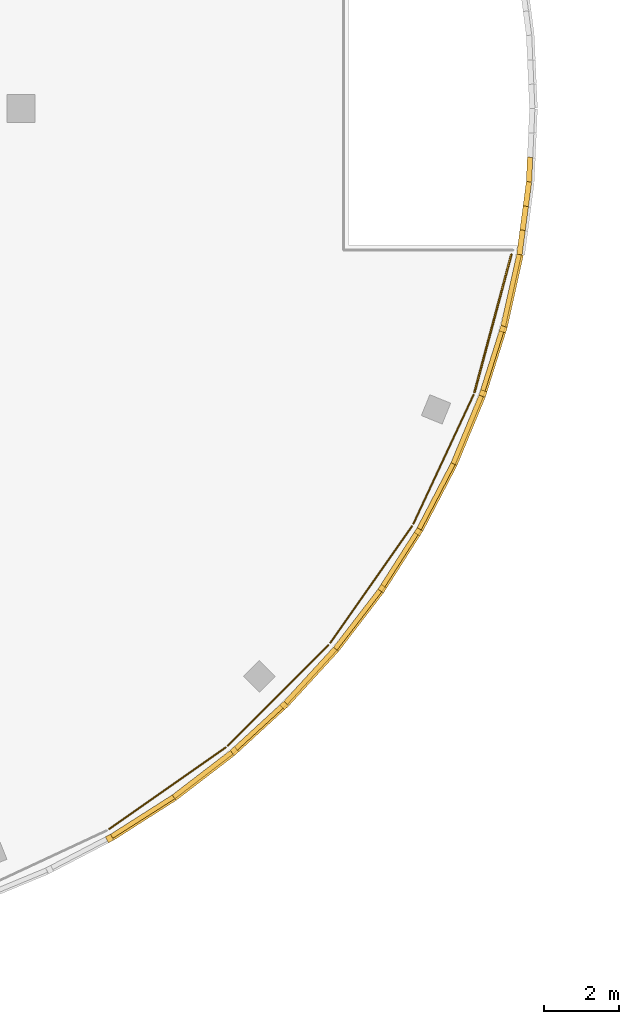
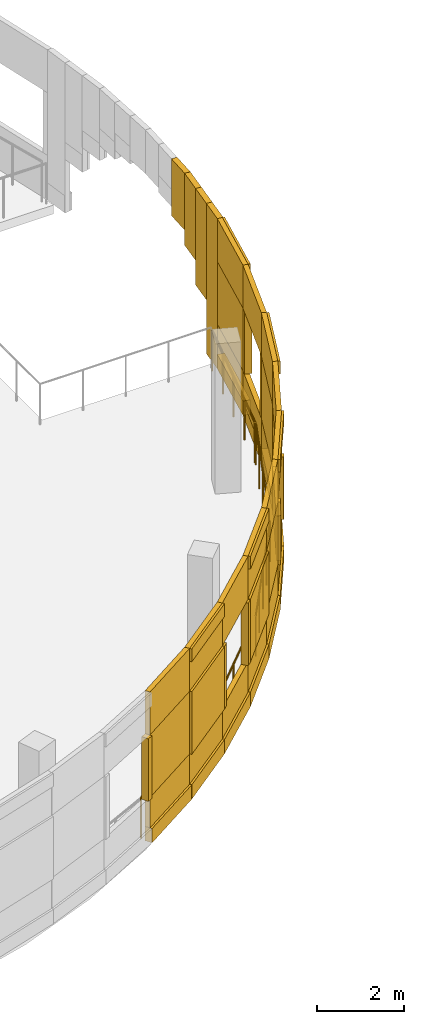
# One storey, part 132 of 135: 53 coverings, 5 railings.
"""IFC4 building model written with IfcOpenShell, lengths in metres."""

from ifc_helpers import new_model, si_unit, direction, frame, origin, origin_2d, place, context, subcontext, project, spatial, rectangle, circle, extrude, material, layer, layer_set, type_object, element, save


model = new_model("IFC4")

# Units and contexts
model_context = context("Model", 3, precision=1e-05, world=origin(), true_north=direction((0.0, 1.0)))
body_context = subcontext(model_context, "Body", "Model", "MODEL_VIEW")
ifc_project = project(units=[si_unit("LENGTHUNIT", "METRE"), si_unit("AREAUNIT", "SQUARE_METRE"), si_unit("VOLUMEUNIT", "CUBIC_METRE"), si_unit("PLANEANGLEUNIT", "RADIAN"), si_unit("MASSUNIT", "GRAM", prefix="KILO")], contexts=[model_context])

# Site, building, storey
site_placement = place(None, origin())
site = spatial("IfcSite", under=ifc_project, at=site_placement, CompositionType="ELEMENT")
building_placement = place(site_placement, origin())
building = spatial("IfcBuilding", under=site, at=building_placement, Name="Deido Ridge Mobility Hub", CompositionType="ELEMENT")
storey_placement = place(building_placement, frame((0.0, 0.0, 4.199951171875)))
storey = spatial("IfcBuildingStorey", under=building, at=storey_placement, Name="L01", CompositionType="ELEMENT", Elevation=4.199951171875)

# Coverings
ifc_material_1 = material(Name="Fired clay brick masonry", Category="masonry")
ifc_layer = layer(ifc_material_1, 0.114990234375, Name="Fired clay brick masonry")
ifc_layer_set = layer_set([ifc_layer], Name="Fired clay brick masonry")
covering_type = type_object("IfcCoveringType", Name="COV-BRK-SCREEN-115", PredefinedType="CLADDING", material=ifc_layer_set)
covering_1_placement = place(storey_placement, frame((128.167236328125, 83.99951171875, 1.25), z_axis=(0.0, 0.0, 1.0), x_axis=(0.887018892077, 0.461733131905, 0.0)))
element("IfcCovering", 1, at=covering_1_placement, inside=storey, type_object=covering_type, Name="Curved brick jamb nib BKS1 (L01)", PredefinedType="CLADDING", context=body_context, shape_type="SweptSolid", body=[
    extrude(rectangle(XDim=0.152099609375, YDim=0.179931640625, at=origin_2d()), origin(), (0.0, 0.0, 1.0), 1.75),
])
covering_2_placement = place(storey_placement, frame((129.049560546875, 84.5859375, 0.0), z_axis=(0.0, 0.0, 1.0), x_axis=(0.843382068037, 0.537314328223, 0.0)))
element("IfcCovering", 2, at=covering_2_placement, inside=storey, type_object=covering_type, Name="Open brickwork spandrel course BKS1 (L01)", PredefinedType="CLADDING", context=body_context, shape_type="SweptSolid", body=[
    extrude(rectangle(XDim=1.9619140625, YDim=0.125, at=origin_2d()), origin(), (0.0, 0.0, 1.0), 1.25),
])
covering_3_placement = place(storey_placement, frame((129.064208984375, 84.562744140625, 0.0), z_axis=(0.0, 0.0, 1.0), x_axis=(0.843382068037, 0.537314328223, 0.0)))
element("IfcCovering", 3, at=covering_3_placement, inside=storey, type_object=covering_type, Name="Raised brick relief belt BKS1 (L01)", PredefinedType="CLADDING", context=body_context, shape_type="SweptSolid", body=[
    extrude(rectangle(XDim=1.9619140625, YDim=0.179931640625, at=origin_2d()), origin(), (0.0, 0.0, 1.0), 0.39990234375),
])
covering_4_placement = place(storey_placement, frame((129.049560546875, 84.5859375, 3.0), z_axis=(0.0, 0.0, 1.0), x_axis=(0.843382068037, 0.537314328223, 0.0)))
element("IfcCovering", 4, at=covering_4_placement, inside=storey, type_object=covering_type, Name="Open brickwork lintel course BKS1 (L01)", PredefinedType="CLADDING", context=body_context, shape_type="SweptSolid", body=[
    extrude(rectangle(XDim=1.9619140625, YDim=0.125, at=origin_2d()), origin(), (0.0, 0.0, 1.0), 1.199951171875),
])
covering_5_placement = place(storey_placement, frame((129.049560546875, 84.5859375, 1.25), z_axis=(0.0, 0.0, 1.0), x_axis=(0.843382068037, 0.537314328223, 0.0)))
element("IfcCovering", 5, at=covering_5_placement, inside=storey, type_object=covering_type, Name="Curved raised brickwork pier BKS1 (L01)", PredefinedType="CLADDING", context=body_context, shape_type="SweptSolid", body=[
    extrude(rectangle(XDim=1.9619140625, YDim=0.125, at=origin_2d()), origin(), (0.0, 0.0, 1.0), 1.75),
])
covering_6_placement = place(storey_placement, frame((130.652099609375, 85.7080078125, 0.0), z_axis=(0.0, 0.0, 1.0), x_axis=(0.793353340291, 0.608761429009, 0.0)))
element("IfcCovering", 6, at=covering_6_placement, inside=storey, type_object=covering_type, Name="Open brickwork spandrel course BKS1 (L01)", PredefinedType="CLADDING", context=body_context, shape_type="SweptSolid", body=[
    extrude(rectangle(XDim=1.9619140625, YDim=0.125, at=origin_2d()), origin(), (0.0, 0.0, 1.0), 1.25),
])
covering_7_placement = place(storey_placement, frame((130.6689453125, 85.686279296875, 0.0), z_axis=(0.0, 0.0, 1.0), x_axis=(0.793353340291, 0.608761429009, 0.0)))
element("IfcCovering", 7, at=covering_7_placement, inside=storey, type_object=covering_type, Name="Raised brick relief belt BKS1 (L01)", PredefinedType="CLADDING", context=body_context, shape_type="SweptSolid", body=[
    extrude(rectangle(XDim=1.9619140625, YDim=0.179931640625, at=origin_2d()), origin(), (0.0, 0.0, 1.0), 0.39990234375),
])
covering_8_placement = place(storey_placement, frame((130.652099609375, 85.7080078125, 3.0), z_axis=(0.0, 0.0, 1.0), x_axis=(0.793353340291, 0.608761429009, 0.0)))
element("IfcCovering", 8, at=covering_8_placement, inside=storey, type_object=covering_type, Name="Open brickwork lintel course BKS1 (L01)", PredefinedType="CLADDING", context=body_context, shape_type="SweptSolid", body=[
    extrude(rectangle(XDim=1.9619140625, YDim=0.125, at=origin_2d()), origin(), (0.0, 0.0, 1.0), 1.199951171875),
])
covering_9_placement = place(storey_placement, frame((130.6689453125, 85.686279296875, 3.83984375), z_axis=(0.0, 0.0, 1.0), x_axis=(0.793353340291, 0.608761429009, 0.0)))
element("IfcCovering", 9, at=covering_9_placement, inside=storey, type_object=covering_type, Name="Raised brick relief cornice BKS1 (L01)", PredefinedType="CLADDING", context=body_context, shape_type="SweptSolid", body=[
    extrude(rectangle(XDim=1.9619140625, YDim=0.179931640625, at=origin_2d()), origin(), (0.0, 0.0, 1.0), 0.360107421875),
])
covering_10_placement = place(storey_placement, frame((130.6689453125, 85.686279296875, 1.25), z_axis=(0.0, 0.0, 1.0), x_axis=(0.793353340291, 0.608761429009, 0.0)))
element("IfcCovering", 10, at=covering_10_placement, inside=storey, type_object=covering_type, Name="Curved raised brickwork pier BKS1 (L01)", PredefinedType="CLADDING", context=body_context, shape_type="SweptSolid", body=[
    extrude(rectangle(XDim=1.9619140625, YDim=0.179931640625, at=origin_2d()), origin(), (0.0, 0.0, 1.0), 1.75),
])
covering_11_placement = place(storey_placement, frame((132.15087890625, 86.9658203125, 0.0), z_axis=(0.0, 0.0, 1.0), x_axis=(0.737289127971, 0.675577339596, 0.0)))
element("IfcCovering", 11, at=covering_11_placement, inside=storey, type_object=covering_type, Name="Open brickwork spandrel course BKS1 (L01)", PredefinedType="CLADDING", context=body_context, shape_type="SweptSolid", body=[
    extrude(rectangle(XDim=1.9619140625, YDim=0.125, at=origin_2d()), origin(), (0.0, 0.0, 1.0), 1.25),
])
covering_12_placement = place(storey_placement, frame((132.16943359375, 86.9453125, 0.0), z_axis=(0.0, 0.0, 1.0), x_axis=(0.737289127971, 0.675577339596, 0.0)))
element("IfcCovering", 12, at=covering_12_placement, inside=storey, type_object=covering_type, Name="Raised brick relief belt BKS1 (L01)", PredefinedType="CLADDING", context=body_context, shape_type="SweptSolid", body=[
    extrude(rectangle(XDim=1.9619140625, YDim=0.179931640625, at=origin_2d()), origin(), (0.0, 0.0, 1.0), 0.39990234375),
])
covering_13_placement = place(storey_placement, frame((132.15087890625, 86.9658203125, 3.0), z_axis=(0.0, 0.0, 1.0), x_axis=(0.737289127971, 0.675577339596, 0.0)))
element("IfcCovering", 13, at=covering_13_placement, inside=storey, type_object=covering_type, Name="Open brickwork lintel course BKS1 (L01)", PredefinedType="CLADDING", context=body_context, shape_type="SweptSolid", body=[
    extrude(rectangle(XDim=1.9619140625, YDim=0.125, at=origin_2d()), origin(), (0.0, 0.0, 1.0), 1.199951171875),
])
for number, where, z_axis, x_axis, name in (
    (14, (131.505126953125, 86.336669921875, 1.25), (0.0, 0.0, 1.0), (0.737289127971, 0.675577339596, 0.0), "Curved brick jamb nib BKS1 (L01)"),
    (15, (132.833740234375, 87.55419921875, 1.25), (0.0, 0.0, 1.0), (0.737289127971, 0.675577339596, 0.0), "Curved brick jamb nib BKS1 (L01)"),
):
    element("IfcCovering", number, at=place(storey_placement, frame(where, z_axis=z_axis, x_axis=x_axis)), inside=storey, type_object=covering_type, Name=name, PredefinedType="CLADDING", context=body_context, shape_type="SweptSolid", body=[
        extrude(rectangle(XDim=0.152099609375, YDim=0.179931640625, at=origin_2d()), origin(), (0.0, 0.0, 1.0), 1.75),
    ])
covering_14_placement = place(storey_placement, frame((133.5341796875, 88.34912109375, 0.0), z_axis=(0.0, 0.0, 1.0), x_axis=(0.675577339596, 0.737289127971, 0.0)))
element("IfcCovering", 16, at=covering_14_placement, inside=storey, type_object=covering_type, Name="Open brickwork spandrel course BKS1 (L01)", PredefinedType="CLADDING", context=body_context, shape_type="SweptSolid", body=[
    extrude(rectangle(XDim=1.9619140625, YDim=0.125, at=origin_2d()), origin(), (0.0, 0.0, 1.0), 1.25),
])
covering_15_placement = place(storey_placement, frame((133.5546875, 88.33056640625, 0.0), z_axis=(0.0, 0.0, 1.0), x_axis=(0.675577339596, 0.737289127971, 0.0)))
element("IfcCovering", 17, at=covering_15_placement, inside=storey, type_object=covering_type, Name="Raised brick relief belt BKS1 (L01)", PredefinedType="CLADDING", context=body_context, shape_type="SweptSolid", body=[
    extrude(rectangle(XDim=1.9619140625, YDim=0.179931640625, at=origin_2d()), origin(), (0.0, 0.0, 1.0), 0.39990234375),
])
covering_16_placement = place(storey_placement, frame((133.5341796875, 88.34912109375, 3.0), z_axis=(0.0, 0.0, 1.0), x_axis=(0.675577339596, 0.737289127971, 0.0)))
element("IfcCovering", 18, at=covering_16_placement, inside=storey, type_object=covering_type, Name="Open brickwork lintel course BKS1 (L01)", PredefinedType="CLADDING", context=body_context, shape_type="SweptSolid", body=[
    extrude(rectangle(XDim=1.9619140625, YDim=0.125, at=origin_2d()), origin(), (0.0, 0.0, 1.0), 1.199951171875),
])
covering_17_placement = place(storey_placement, frame((133.5546875, 88.33056640625, 3.83984375), z_axis=(0.0, 0.0, 1.0), x_axis=(0.675577339596, 0.737289127971, 0.0)))
element("IfcCovering", 19, at=covering_17_placement, inside=storey, type_object=covering_type, Name="Raised brick relief cornice BKS1 (L01)", PredefinedType="CLADDING", context=body_context, shape_type="SweptSolid", body=[
    extrude(rectangle(XDim=1.9619140625, YDim=0.179931640625, at=origin_2d()), origin(), (0.0, 0.0, 1.0), 0.360107421875),
])
covering_18_placement = place(storey_placement, frame((133.5546875, 88.33056640625, 1.25), z_axis=(0.0, 0.0, 1.0), x_axis=(0.675577339596, 0.737289127971, 0.0)))
element("IfcCovering", 20, at=covering_18_placement, inside=storey, type_object=covering_type, Name="Curved raised brickwork pier BKS1 (L01)", PredefinedType="CLADDING", context=body_context, shape_type="SweptSolid", body=[
    extrude(rectangle(XDim=1.9619140625, YDim=0.179931640625, at=origin_2d()), origin(), (0.0, 0.0, 1.0), 1.75),
])
covering_19_placement = place(storey_placement, frame((134.7919921875, 89.847900390625, 0.0), z_axis=(0.0, 0.0, 1.0), x_axis=(0.608761429009, 0.793353340291, 0.0)))
element("IfcCovering", 21, at=covering_19_placement, inside=storey, type_object=covering_type, Name="Open brickwork spandrel course BKS1 (L01)", PredefinedType="CLADDING", context=body_context, shape_type="SweptSolid", body=[
    extrude(rectangle(XDim=1.9619140625, YDim=0.125, at=origin_2d()), origin(), (0.0, 0.0, 1.0), 1.25),
])
covering_20_placement = place(storey_placement, frame((134.813720703125, 89.8310546875, 0.0), z_axis=(0.0, 0.0, 1.0), x_axis=(0.608761429009, 0.793353340291, 0.0)))
element("IfcCovering", 22, at=covering_20_placement, inside=storey, type_object=covering_type, Name="Raised brick relief belt BKS1 (L01)", PredefinedType="CLADDING", context=body_context, shape_type="SweptSolid", body=[
    extrude(rectangle(XDim=1.9619140625, YDim=0.179931640625, at=origin_2d()), origin(), (0.0, 0.0, 1.0), 0.39990234375),
])
covering_21_placement = place(storey_placement, frame((134.7919921875, 89.847900390625, 3.0), z_axis=(0.0, 0.0, 1.0), x_axis=(0.608761429009, 0.793353340291, 0.0)))
element("IfcCovering", 23, at=covering_21_placement, inside=storey, type_object=covering_type, Name="Open brickwork lintel course BKS1 (L01)", PredefinedType="CLADDING", context=body_context, shape_type="SweptSolid", body=[
    extrude(rectangle(XDim=1.9619140625, YDim=0.125, at=origin_2d()), origin(), (0.0, 0.0, 1.0), 1.199951171875),
])
covering_22_placement = place(storey_placement, frame((134.7919921875, 89.847900390625, 1.25), z_axis=(0.0, 0.0, 1.0), x_axis=(0.608761429009, 0.793353340291, 0.0)))
element("IfcCovering", 24, at=covering_22_placement, inside=storey, type_object=covering_type, Name="Curved raised brickwork pier BKS1 (L01)", PredefinedType="CLADDING", context=body_context, shape_type="SweptSolid", body=[
    extrude(rectangle(XDim=1.9619140625, YDim=0.125, at=origin_2d()), origin(), (0.0, 0.0, 1.0), 1.75),
])
covering_23_placement = place(storey_placement, frame((135.9140625, 91.450439453125, 0.0), z_axis=(0.0, 0.0, 1.0), x_axis=(0.537314328223, 0.843382068037, 0.0)))
element("IfcCovering", 25, at=covering_23_placement, inside=storey, type_object=covering_type, Name="Open brickwork spandrel course BKS1 (L01)", PredefinedType="CLADDING", context=body_context, shape_type="SweptSolid", body=[
    extrude(rectangle(XDim=1.9619140625, YDim=0.125, at=origin_2d()), origin(), (0.0, 0.0, 1.0), 1.25),
])
covering_24_placement = place(storey_placement, frame((135.937255859375, 91.435791015625, 0.0), z_axis=(0.0, 0.0, 1.0), x_axis=(0.537314328223, 0.843382068037, 0.0)))
element("IfcCovering", 26, at=covering_24_placement, inside=storey, type_object=covering_type, Name="Raised brick relief belt BKS1 (L01)", PredefinedType="CLADDING", context=body_context, shape_type="SweptSolid", body=[
    extrude(rectangle(XDim=1.9619140625, YDim=0.179931640625, at=origin_2d()), origin(), (0.0, 0.0, 1.0), 0.39990234375),
])
covering_25_placement = place(storey_placement, frame((135.9140625, 91.450439453125, 3.0), z_axis=(0.0, 0.0, 1.0), x_axis=(0.537314328223, 0.843382068037, 0.0)))
element("IfcCovering", 27, at=covering_25_placement, inside=storey, type_object=covering_type, Name="Open brickwork lintel course BKS1 (L01)", PredefinedType="CLADDING", context=body_context, shape_type="SweptSolid", body=[
    extrude(rectangle(XDim=1.9619140625, YDim=0.125, at=origin_2d()), origin(), (0.0, 0.0, 1.0), 1.199951171875),
])
covering_26_placement = place(storey_placement, frame((135.937255859375, 91.435791015625, 3.83984375), z_axis=(0.0, 0.0, 1.0), x_axis=(0.537314328223, 0.843382068037, 0.0)))
element("IfcCovering", 28, at=covering_26_placement, inside=storey, type_object=covering_type, Name="Raised brick relief cornice BKS1 (L01)", PredefinedType="CLADDING", context=body_context, shape_type="SweptSolid", body=[
    extrude(rectangle(XDim=1.9619140625, YDim=0.179931640625, at=origin_2d()), origin(), (0.0, 0.0, 1.0), 0.360107421875),
])
for number, where, z_axis, x_axis, name in (
    (29, (135.453125, 90.67578125, 1.25), (0.0, 0.0, 1.0), (0.537314328223, 0.843382068037, 0.0), "Curved brick jamb nib BKS1 (L01)"),
    (30, (136.42138671875, 92.195556640625, 1.25), (0.0, 0.0, 1.0), (0.537314328223, 0.843382068037, 0.0), "Curved brick jamb nib BKS1 (L01)"),
):
    element("IfcCovering", number, at=place(storey_placement, frame(where, z_axis=z_axis, x_axis=x_axis)), inside=storey, type_object=covering_type, Name=name, PredefinedType="CLADDING", context=body_context, shape_type="SweptSolid", body=[
        extrude(rectangle(XDim=0.152099609375, YDim=0.179931640625, at=origin_2d()), origin(), (0.0, 0.0, 1.0), 1.75),
    ])
covering_27_placement = place(storey_placement, frame((136.892333984375, 93.144775390625, 0.0), z_axis=(0.0, 0.0, 1.0), x_axis=(0.461733131905, 0.887018892077, 0.0)))
element("IfcCovering", 31, at=covering_27_placement, inside=storey, type_object=covering_type, Name="Open brickwork spandrel course BKS1 (L01)", PredefinedType="CLADDING", context=body_context, shape_type="SweptSolid", body=[
    extrude(rectangle(XDim=1.9619140625, YDim=0.125, at=origin_2d()), origin(), (0.0, 0.0, 1.0), 1.25),
])
covering_28_placement = place(storey_placement, frame((136.916748046875, 93.132080078125, 0.0), z_axis=(0.0, 0.0, 1.0), x_axis=(0.461733131905, 0.887018892077, 0.0)))
element("IfcCovering", 32, at=covering_28_placement, inside=storey, type_object=covering_type, Name="Raised brick relief belt BKS1 (L01)", PredefinedType="CLADDING", context=body_context, shape_type="SweptSolid", body=[
    extrude(rectangle(XDim=1.9619140625, YDim=0.179931640625, at=origin_2d()), origin(), (0.0, 0.0, 1.0), 0.39990234375),
])
covering_29_placement = place(storey_placement, frame((136.892333984375, 93.144775390625, 3.0), z_axis=(0.0, 0.0, 1.0), x_axis=(0.461733131905, 0.887018892077, 0.0)))
element("IfcCovering", 33, at=covering_29_placement, inside=storey, type_object=covering_type, Name="Open brickwork lintel course BKS1 (L01)", PredefinedType="CLADDING", context=body_context, shape_type="SweptSolid", body=[
    extrude(rectangle(XDim=1.9619140625, YDim=0.125, at=origin_2d()), origin(), (0.0, 0.0, 1.0), 1.199951171875),
])
covering_30_placement = place(storey_placement, frame((136.892333984375, 93.144775390625, 1.25), z_axis=(0.0, 0.0, 1.0), x_axis=(0.461733131905, 0.887018892077, 0.0)))
element("IfcCovering", 34, at=covering_30_placement, inside=storey, type_object=covering_type, Name="Curved raised brickwork pier BKS1 (L01)", PredefinedType="CLADDING", context=body_context, shape_type="SweptSolid", body=[
    extrude(rectangle(XDim=1.9619140625, YDim=0.125, at=origin_2d()), origin(), (0.0, 0.0, 1.0), 1.75),
])
covering_31_placement = place(storey_placement, frame((137.718994140625, 94.91796875, 0.0), z_axis=(0.0, 0.0, 1.0), x_axis=(0.382699557047, 0.923872853285, 0.0)))
element("IfcCovering", 35, at=covering_31_placement, inside=storey, type_object=covering_type, Name="Open brickwork spandrel course BKS1 (L01)", PredefinedType="CLADDING", context=body_context, shape_type="SweptSolid", body=[
    extrude(rectangle(XDim=1.9619140625, YDim=0.125, at=origin_2d()), origin(), (0.0, 0.0, 1.0), 1.25),
])
covering_32_placement = place(storey_placement, frame((137.744384765625, 94.9072265625, 0.0), z_axis=(0.0, 0.0, 1.0), x_axis=(0.382699557047, 0.923872853285, 0.0)))
element("IfcCovering", 36, at=covering_32_placement, inside=storey, type_object=covering_type, Name="Raised brick relief belt BKS1 (L01)", PredefinedType="CLADDING", context=body_context, shape_type="SweptSolid", body=[
    extrude(rectangle(XDim=1.9619140625, YDim=0.179931640625, at=origin_2d()), origin(), (0.0, 0.0, 1.0), 0.39990234375),
])
covering_33_placement = place(storey_placement, frame((137.718994140625, 94.91796875, 3.0), z_axis=(0.0, 0.0, 1.0), x_axis=(0.382699557047, 0.923872853285, 0.0)))
element("IfcCovering", 37, at=covering_33_placement, inside=storey, type_object=covering_type, Name="Open brickwork lintel course BKS1 (L01)", PredefinedType="CLADDING", context=body_context, shape_type="SweptSolid", body=[
    extrude(rectangle(XDim=1.9619140625, YDim=0.125, at=origin_2d()), origin(), (0.0, 0.0, 1.0), 1.199951171875),
])
covering_34_placement = place(storey_placement, frame((137.744384765625, 94.9072265625, 3.83984375), z_axis=(0.0, 0.0, 1.0), x_axis=(0.382699557047, 0.923872853285, 0.0)))
element("IfcCovering", 38, at=covering_34_placement, inside=storey, type_object=covering_type, Name="Raised brick relief cornice BKS1 (L01)", PredefinedType="CLADDING", context=body_context, shape_type="SweptSolid", body=[
    extrude(rectangle(XDim=1.9619140625, YDim=0.179931640625, at=origin_2d()), origin(), (0.0, 0.0, 1.0), 0.360107421875),
])
covering_35_placement = place(storey_placement, frame((137.744384765625, 94.9072265625, 1.25), z_axis=(0.0, 0.0, 1.0), x_axis=(0.382699557047, 0.923872853285, 0.0)))
element("IfcCovering", 39, at=covering_35_placement, inside=storey, type_object=covering_type, Name="Curved raised brickwork pier BKS1 (L01)", PredefinedType="CLADDING", context=body_context, shape_type="SweptSolid", body=[
    extrude(rectangle(XDim=1.9619140625, YDim=0.179931640625, at=origin_2d()), origin(), (0.0, 0.0, 1.0), 1.75),
])
covering_36_placement = place(storey_placement, frame((138.38818359375, 96.75634765625, 0.0), z_axis=(0.0, 0.0, 1.0), x_axis=(0.300672508319, 0.95372744678, 0.0)))
element("IfcCovering", 40, at=covering_36_placement, inside=storey, type_object=covering_type, Name="Open brickwork spandrel course BKS1 (L01)", PredefinedType="CLADDING", context=body_context, shape_type="SweptSolid", body=[
    extrude(rectangle(XDim=1.9619140625, YDim=0.125, at=origin_2d()), origin(), (0.0, 0.0, 1.0), 1.25),
])
covering_37_placement = place(storey_placement, frame((138.414306640625, 96.748046875, 0.0), z_axis=(0.0, 0.0, 1.0), x_axis=(0.300672508319, 0.95372744678, 0.0)))
element("IfcCovering", 41, at=covering_37_placement, inside=storey, type_object=covering_type, Name="Raised brick relief belt BKS1 (L01)", PredefinedType="CLADDING", context=body_context, shape_type="SweptSolid", body=[
    extrude(rectangle(XDim=1.9619140625, YDim=0.179931640625, at=origin_2d()), origin(), (0.0, 0.0, 1.0), 0.39990234375),
])
covering_38_placement = place(storey_placement, frame((138.38818359375, 96.75634765625, 3.0), z_axis=(0.0, 0.0, 1.0), x_axis=(0.300672508319, 0.95372744678, 0.0)))
element("IfcCovering", 42, at=covering_38_placement, inside=storey, type_object=covering_type, Name="Open brickwork lintel course BKS1 (L01)", PredefinedType="CLADDING", context=body_context, shape_type="SweptSolid", body=[
    extrude(rectangle(XDim=1.9619140625, YDim=0.125, at=origin_2d()), origin(), (0.0, 0.0, 1.0), 1.199951171875),
])
for number, where, z_axis, x_axis, name in (
    (43, (138.1435546875, 95.888671875, 1.25), (0.0, 0.0, 1.0), (0.300672508319, 0.95372744678, 0.0), "Curved brick jamb nib BKS1 (L01)"),
    (44, (138.685302734375, 97.607421875, 1.25), (0.0, 0.0, 1.0), (0.300672508319, 0.95372744678, 0.0), "Curved brick jamb nib BKS1 (L01)"),
):
    element("IfcCovering", number, at=place(storey_placement, frame(where, z_axis=z_axis, x_axis=x_axis)), inside=storey, type_object=covering_type, Name=name, PredefinedType="CLADDING", context=body_context, shape_type="SweptSolid", body=[
        extrude(rectangle(XDim=0.152099609375, YDim=0.179931640625, at=origin_2d()), origin(), (0.0, 0.0, 1.0), 1.75),
    ])
covering_39_placement = place(storey_placement, frame((138.89453125, 98.64599609375, 0.0), z_axis=(0.0, 0.0, 1.0), x_axis=(0.216456653485, 0.976292229387, 0.0)))
element("IfcCovering", 45, at=covering_39_placement, inside=storey, type_object=covering_type, Name="Open brickwork spandrel course BKS1 (L01)", PredefinedType="CLADDING", context=body_context, shape_type="SweptSolid", body=[
    extrude(rectangle(XDim=1.9619140625, YDim=0.125, at=origin_2d()), origin(), (0.0, 0.0, 1.0), 1.25),
])
covering_40_placement = place(storey_placement, frame((138.92138671875, 98.64013671875, 0.0), z_axis=(0.0, 0.0, 1.0), x_axis=(0.216456653485, 0.976292229387, 0.0)))
element("IfcCovering", 46, at=covering_40_placement, inside=storey, type_object=covering_type, Name="Raised brick relief belt BKS1 (L01)", PredefinedType="CLADDING", context=body_context, shape_type="SweptSolid", body=[
    extrude(rectangle(XDim=1.9619140625, YDim=0.179931640625, at=origin_2d()), origin(), (0.0, 0.0, 1.0), 0.39990234375),
])
covering_41_placement = place(storey_placement, frame((138.89453125, 98.64599609375, 3.0), z_axis=(0.0, 0.0, 1.0), x_axis=(0.216456653485, 0.976292229387, 0.0)))
element("IfcCovering", 47, at=covering_41_placement, inside=storey, type_object=covering_type, Name="Open brickwork lintel course BKS1 (L01)", PredefinedType="CLADDING", context=body_context, shape_type="SweptSolid", body=[
    extrude(rectangle(XDim=1.9619140625, YDim=0.125, at=origin_2d()), origin(), (0.0, 0.0, 1.0), 1.199951171875),
])
covering_42_placement = place(storey_placement, frame((138.92138671875, 98.64013671875, 3.83984375), z_axis=(0.0, 0.0, 1.0), x_axis=(0.216456653485, 0.976292229387, 0.0)))
element("IfcCovering", 48, at=covering_42_placement, inside=storey, type_object=covering_type, Name="Raised brick relief cornice BKS1 (L01)", PredefinedType="CLADDING", context=body_context, shape_type="SweptSolid", body=[
    extrude(rectangle(XDim=1.9619140625, YDim=0.179931640625, at=origin_2d()), origin(), (0.0, 0.0, 1.0), 0.360107421875),
])
covering_43_placement = place(storey_placement, frame((138.92138671875, 98.64013671875, 1.25), z_axis=(0.0, 0.0, 1.0), x_axis=(0.216456653485, 0.976292229387, 0.0)))
element("IfcCovering", 49, at=covering_43_placement, inside=storey, type_object=covering_type, Name="Curved raised brickwork pier BKS1 (L01)", PredefinedType="CLADDING", context=body_context, shape_type="SweptSolid", body=[
    extrude(rectangle(XDim=1.9619140625, YDim=0.179931640625, at=origin_2d()), origin(), (0.0, 0.0, 1.0), 1.75),
])
covering_44_placement = place(storey_placement, frame((139.1591796875, 99.92578125, 0.0), z_axis=(0.0, 0.0, 1.0), x_axis=(0.130543496177, 0.991442583111, 0.0)))
element("IfcCovering", 50, at=covering_44_placement, inside=storey, type_object=covering_type, Name="Stepped brick portal arch spandrel BKS1 (L01)", PredefinedType="CLADDING", context=body_context, shape_type="SweptSolid", body=[
    extrude(rectangle(XDim=0.657958984375, YDim=0.14501953125, at=origin_2d()), origin(), (0.0, 0.0, 1.0), 4.199951171875),
])
covering_45_placement = place(storey_placement, frame((139.244384765625, 100.571533203125, 1.504150390625), z_axis=(0.0, 0.0, 1.0), x_axis=(0.130543496177, 0.991442583111, 0.0)))
element("IfcCovering", 51, at=covering_45_placement, inside=storey, type_object=covering_type, Name="Stepped brick portal arch spandrel BKS1 (L01)", PredefinedType="CLADDING", context=body_context, shape_type="SweptSolid", body=[
    extrude(rectangle(XDim=0.657958984375, YDim=0.14501953125, at=origin_2d()), origin(), (0.0, 0.0, 1.0), 2.69580078125),
])
covering_46_placement = place(storey_placement, frame((139.329345703125, 101.21728515625, 2.18994140625), z_axis=(0.0, 0.0, 1.0), x_axis=(0.130543496177, 0.991442583111, 0.0)))
element("IfcCovering", 52, at=covering_46_placement, inside=storey, type_object=covering_type, Name="Stepped brick portal arch spandrel BKS1 (L01)", PredefinedType="CLADDING", context=body_context, shape_type="SweptSolid", body=[
    extrude(rectangle(XDim=0.657958984375, YDim=0.14501953125, at=origin_2d()), origin(), (0.0, 0.0, 1.0), 2.010009765625),
])
covering_47_placement = place(storey_placement, frame((139.386474609375, 101.87060546875, 2.611328125), z_axis=(0.0, 0.0, 1.0), x_axis=(0.043601950678, 0.999048982732, 0.0)))
element("IfcCovering", 53, at=covering_47_placement, inside=storey, type_object=covering_type, Name="Stepped brick portal arch spandrel BKS1 (L01)", PredefinedType="CLADDING", context=body_context, shape_type="SweptSolid", body=[
    extrude(rectangle(XDim=0.657958984375, YDim=0.14501953125, at=origin_2d()), origin(), (0.0, 0.0, 1.0), 1.588623046875),
])

# Railings
ifc_material_2 = material(Name="Galvanised steel work", Category="steel")
railing_type = type_object("IfcRailingType", Name="RL-GRD-EXT-1150", PredefinedType="GUARDRAIL", material=ifc_material_2)
railing_1_placement = place(storey_placement, frame((128.15771484375, 84.25390625, 0.0)))
element("IfcRailing", 54, at=railing_1_placement, inside=storey, type_object=railing_type, Name="Parking drum perimeter guard (L01)", PredefinedType="GUARDRAIL", context=body_context, shape_type="SweptSolid", body=[
    extrude(circle(Radius=0.02392578125, at=origin_2d()), frame((0.0, 0.0, 1.1259765625), z_axis=(0.819156425271, 0.573570179609, 0.0), x_axis=(-0.573570179609, 0.819156425271, 0.0)), (0.0, 0.0, 1.0), 3.798583984375),
    extrude(circle(Radius=0.02099609375, at=origin_2d()), origin(), (0.0, 0.0, 1.0), 1.101806640625),
    extrude(circle(Radius=0.02099609375, at=origin_2d()), frame((0.77783203125, 0.544677734375, 0.0)), (0.0, 0.0, 1.0), 1.101806640625),
    extrude(circle(Radius=0.02099609375, at=origin_2d()), frame((1.5556640625, 1.08935546875, 0.0)), (0.0, 0.0, 1.0), 1.101806640625),
    extrude(circle(Radius=0.02099609375, at=origin_2d()), frame((2.333740234375, 1.634033203125, 0.0)), (0.0, 0.0, 1.0), 1.101806640625),
    extrude(circle(Radius=0.02099609375, at=origin_2d()), frame((3.111572265625, 2.1787109375, 0.0)), (0.0, 0.0, 1.0), 1.101806640625),
])
railing_2_placement = place(storey_placement, frame((131.330322265625, 86.48388671875, 0.0)))
element("IfcRailing", 55, at=railing_2_placement, inside=storey, type_object=railing_type, Name="Parking drum perimeter guard (L01)", PredefinedType="GUARDRAIL", context=body_context, shape_type="SweptSolid", body=[
    extrude(circle(Radius=0.02392578125, at=origin_2d()), frame((0.0, 0.0, 1.1259765625), z_axis=(0.707106781187, 0.707106781187, 0.0), x_axis=(-0.707106781187, 0.707106781187, 0.0)), (0.0, 0.0, 1.0), 3.79833984375),
    extrude(circle(Radius=0.02099609375, at=origin_2d()), origin(), (0.0, 0.0, 1.0), 1.101806640625),
    extrude(circle(Radius=0.02099609375, at=origin_2d()), frame((0.67138671875, 0.67138671875, 0.0)), (0.0, 0.0, 1.0), 1.101806640625),
    extrude(circle(Radius=0.02099609375, at=origin_2d()), frame((1.3427734375, 1.3427734375, 0.0)), (0.0, 0.0, 1.0), 1.101806640625),
    extrude(circle(Radius=0.02099609375, at=origin_2d()), frame((2.014404296875, 2.014404296875, 0.0)), (0.0, 0.0, 1.0), 1.101806640625),
    extrude(circle(Radius=0.02099609375, at=origin_2d()), frame((2.685791015625, 2.685791015625, 0.0)), (0.0, 0.0, 1.0), 1.101806640625),
])
railing_3_placement = place(storey_placement, frame((134.0673828125, 89.230712890625, 0.0)))
element("IfcRailing", 56, at=railing_3_placement, inside=storey, type_object=railing_type, Name="Parking drum perimeter guard (L01)", PredefinedType="GUARDRAIL", context=body_context, shape_type="SweptSolid", body=[
    extrude(circle(Radius=0.02392578125, at=origin_2d()), frame((0.0, 0.0, 1.1259765625), z_axis=(0.573570179609, 0.819156425271, 0.0), x_axis=(-0.819156425271, 0.573570179609, 0.0)), (0.0, 0.0, 1.0), 3.798583984375),
    extrude(circle(Radius=0.02099609375, at=origin_2d()), origin(), (0.0, 0.0, 1.0), 1.101806640625),
    extrude(circle(Radius=0.02099609375, at=origin_2d()), frame((0.544677734375, 0.77783203125, 0.0)), (0.0, 0.0, 1.0), 1.101806640625),
    extrude(circle(Radius=0.02099609375, at=origin_2d()), frame((1.08935546875, 1.5556640625, 0.0)), (0.0, 0.0, 1.0), 1.101806640625),
    extrude(circle(Radius=0.02099609375, at=origin_2d()), frame((1.634033203125, 2.333740234375, 0.0)), (0.0, 0.0, 1.0), 1.101806640625),
    extrude(circle(Radius=0.02099609375, at=origin_2d()), frame((2.1787109375, 3.111572265625, 0.0)), (0.0, 0.0, 1.0), 1.101806640625),
])
railing_4_placement = place(storey_placement, frame((136.285888671875, 92.411376953125, 0.0)))
element("IfcRailing", 57, at=railing_4_placement, inside=storey, type_object=railing_type, Name="Parking drum perimeter guard (L01)", PredefinedType="GUARDRAIL", context=body_context, shape_type="SweptSolid", body=[
    extrude(circle(Radius=0.02392578125, at=origin_2d()), frame((0.0, 0.0, 1.1259765625), z_axis=(0.422674330627, 0.906281639574, 0.0), x_axis=(-0.906281639574, 0.422674330627, 0.0)), (0.0, 0.0, 1.0), 3.79833984375),
    extrude(circle(Radius=0.02099609375, at=origin_2d()), origin(), (0.0, 0.0, 1.0), 1.101806640625),
    extrude(circle(Radius=0.02099609375, at=origin_2d()), frame((0.4013671875, 0.860595703125, 0.0)), (0.0, 0.0, 1.0), 1.101806640625),
    extrude(circle(Radius=0.02099609375, at=origin_2d()), frame((0.802734375, 1.72119140625, 0.0)), (0.0, 0.0, 1.0), 1.101806640625),
    extrude(circle(Radius=0.02099609375, at=origin_2d()), frame((1.2041015625, 2.581787109375, 0.0)), (0.0, 0.0, 1.0), 1.101806640625),
    extrude(circle(Radius=0.02099609375, at=origin_2d()), frame((1.60546875, 3.4423828125, 0.0)), (0.0, 0.0, 1.0), 1.101806640625),
])
railing_5_placement = place(storey_placement, frame((137.918701171875, 95.9287109375, 0.0)))
element("IfcRailing", 58, at=railing_5_placement, inside=storey, type_object=railing_type, Name="Parking drum perimeter guard (L01)", PredefinedType="GUARDRAIL", context=body_context, shape_type="SweptSolid", body=[
    extrude(circle(Radius=0.02392578125, at=origin_2d()), frame((0.0, 0.0, 1.1259765625), z_axis=(0.258774639064, 0.965937723757, 0.0), x_axis=(-0.965937723757, 0.258774639064, 0.0)), (0.0, 0.0, 1.0), 3.79833984375),
    extrude(circle(Radius=0.02099609375, at=origin_2d()), origin(), (0.0, 0.0, 1.0), 1.101806640625),
    extrude(circle(Radius=0.02099609375, at=origin_2d()), frame((0.24560546875, 0.917236328125, 0.0)), (0.0, 0.0, 1.0), 1.101806640625),
    extrude(circle(Radius=0.02099609375, at=origin_2d()), frame((0.491455078125, 1.83447265625, 0.0)), (0.0, 0.0, 1.0), 1.101806640625),
    extrude(circle(Radius=0.02099609375, at=origin_2d()), frame((0.7373046875, 2.751708984375, 0.0)), (0.0, 0.0, 1.0), 1.101806640625),
    extrude(circle(Radius=0.02099609375, at=origin_2d()), frame((0.98291015625, 3.6689453125, 0.0)), (0.0, 0.0, 1.0), 1.101806640625),
])

save(model, "model.ifc")
